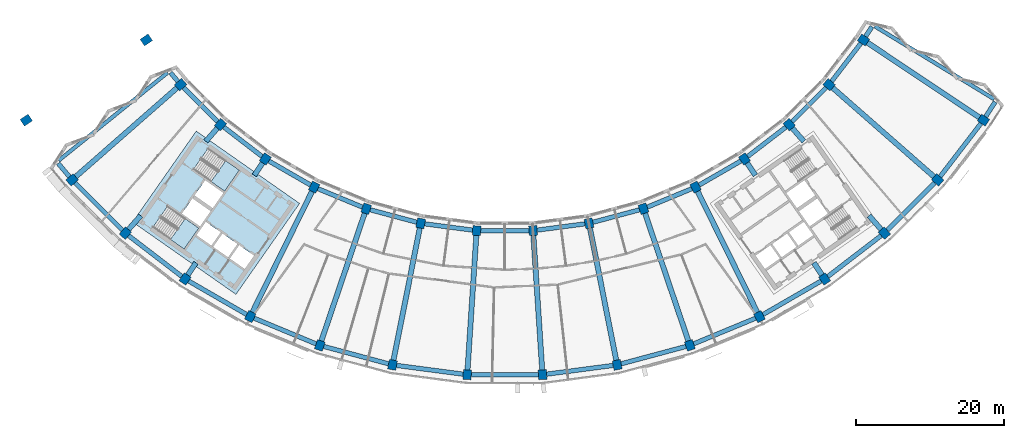
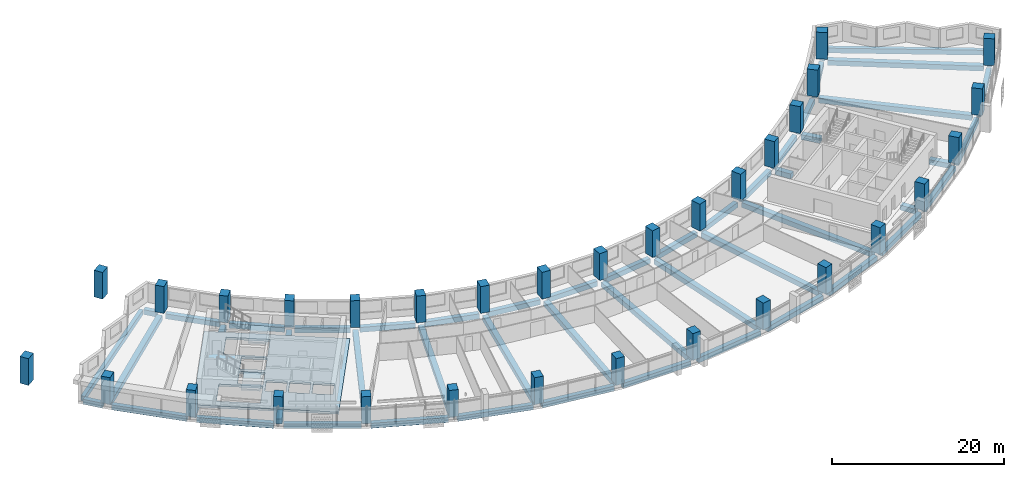
# One storey, part 1 of 26: 53 beams, 32 columns, 3 slabs, 2 elements without a shape of their own.
"""IFC4 building model written with IfcOpenShell, lengths in metres."""

from ifc_helpers import new_model, si_unit, direction, frame, origin, origin_2d, place, context, subcontext, project, spatial, polyline, rectangle, outline, extrude, material, layer, layer_set, material_profile, profile_set, type_object, element, aggregate, save


model = new_model("IFC4")

# Units and contexts
model_context = context("Model", 3, precision=1e-05, world=origin(), true_north=direction((0.0, 1.0)))
body_context = subcontext(model_context, "Body", "Model", "MODEL_VIEW")
ifc_project = project(units=[si_unit("LENGTHUNIT", "METRE"), si_unit("AREAUNIT", "SQUARE_METRE"), si_unit("VOLUMEUNIT", "CUBIC_METRE"), si_unit("PLANEANGLEUNIT", "RADIAN"), si_unit("MASSUNIT", "GRAM", prefix="KILO")], contexts=[model_context])

# Site, building, storey
site_placement = place(None, origin())
site = spatial("IfcSite", under=ifc_project, at=site_placement, CompositionType="ELEMENT")
building_placement = place(site_placement, origin())
building = spatial("IfcBuilding", under=site, at=building_placement, Name="Qamariyya Broadcast Tower", CompositionType="ELEMENT")
storey_placement = place(building_placement, frame((0.0, 0.0, 183.5)))
storey = spatial("IfcBuildingStorey", under=building, at=storey_placement, Name="L43", CompositionType="ELEMENT", Elevation=183.5)

# Columns
ifc_material_1 = material(Name="Concrete C60/75", Category="concrete")
ifc_material_profile_1 = material_profile(ifc_material_1, rectangle(XDim=1.10009765625, YDim=1.300048828125, at=origin_2d()))
ifc_profile_set_1 = profile_set([ifc_material_profile_1], Name="Concrete C60/75")
column_type = type_object("IfcColumnType", Name="RC column 1100 x 1300 C60/75", PredefinedType="COLUMN", material=ifc_profile_set_1)
for number, where, z_axis, x_axis, name in (
    (1, (-43.794677734375, -38.406982421875, 0.0), (0.0, 0.0, 1.0), (0.6593458151, -0.751839807479, 0.0), "Column C8 L43 B-R04"),
    (2, (-58.45556640625, -51.26416015625, 0.0), (0.0, 0.0, 1.0), (0.6593458151, -0.751839807479, 0.0), "Column C8 L43 C-R04"),
    (3, (-38.406982421875, -43.794677734375, 0.0), (0.0, 0.0, 1.0), (0.751839807479, -0.6593458151, 0.0), "Column C8 L43 B-R05"),
    (4, (-51.26416015625, -58.45556640625, 0.0), (0.0, 0.0, 1.0), (0.751839807479, -0.6593458151, 0.0), "Column C8 L43 C-R05"),
    (5, (-32.362060546875, -48.43310546875, 0.0), (0.0, 0.0, 1.0), (0.831469612303, -0.55557023302, 0.0), "Column C8 L43 B-R06"),
    (6, (-43.195556640625, -64.646728515625, 0.0), (0.0, 0.0, 1.0), (0.831469612303, -0.55557023302, 0.0), "Column C8 L43 C-R06"),
    (7, (-25.763427734375, -52.242919921875, 0.0), (0.0, 0.0, 1.0), (0.896872741533, -0.442288690219, 0.0), "Column C8 L43 B-R07"),
    (8, (-34.387939453125, -69.73193359375, 0.0), (0.0, 0.0, 1.0), (0.896872741533, -0.442288690219, 0.0), "Column C8 L43 C-R07"),
    (9, (-18.723876953125, -55.15869140625, 0.0), (0.0, 0.0, 1.0), (0.946930129495, -0.321439465303, 0.0), "Column C8 L43 B-R08"),
    (10, (-24.991943359375, -73.623779296875, 0.0), (0.0, 0.0, 1.0), (0.946930129495, -0.321439465303, 0.0), "Column C8 L43 C-R08"),
    (11, (-11.364013671875, -57.130859375, 0.0), (0.0, 0.0, 1.0), (0.980785280403, -0.195090322016, 0.0), "Column C8 L43 B-R09"),
    (12, (-15.168212890625, -76.256103515625, 0.0), (0.0, 0.0, 1.0), (0.980785280403, -0.195090322016, 0.0), "Column C8 L43 C-R09"),
    (13, (-3.809814453125, -58.125244140625, 0.0), (0.0, 0.0, 1.0), (0.997858923239, -0.06540312923, 0.0), "Column C8 L43 B-R10"),
    (14, (-5.085205078125, -77.58349609375, 0.0), (0.0, 0.0, 1.0), (0.997858923239, -0.06540312923, 0.0), "Column C8 L43 C-R10"),
    (15, (3.809814453125, -58.125244140625, 0.0), (0.0, 0.0, 1.0), (0.997858923239, 0.06540312923, 0.0), "Column C8 L43 B-R11"),
    (16, (5.085205078125, -77.58349609375, 0.0), (0.0, 0.0, 1.0), (0.997858923239, 0.06540312923, 0.0), "Column C8 L43 C-R11"),
    (17, (11.364013671875, -57.130859375, 0.0), (0.0, 0.0, 1.0), (0.980785280403, 0.195090322016, 0.0), "Column C8 L43 B-R12"),
    (18, (15.168212890625, -76.256103515625, 0.0), (0.0, 0.0, 1.0), (0.980785280403, 0.195090322016, 0.0), "Column C8 L43 C-R12"),
    (19, (18.723876953125, -55.15869140625, 0.0), (0.0, 0.0, 1.0), (0.946930129495, 0.321439465303, 0.0), "Column C8 L43 B-R13"),
    (20, (24.991943359375, -73.623779296875, 0.0), (0.0, 0.0, 1.0), (0.946930129495, 0.321439465303, 0.0), "Column C8 L43 C-R13"),
    (21, (25.763427734375, -52.242919921875, 0.0), (0.0, 0.0, 1.0), (0.896872741533, 0.442288690219, 0.0), "Column C8 L43 B-R14"),
    (22, (34.387939453125, -69.73193359375, 0.0), (0.0, 0.0, 1.0), (0.896872741533, 0.442288690219, 0.0), "Column C8 L43 C-R14"),
    (23, (32.362060546875, -48.43310546875, 0.0), (0.0, 0.0, 1.0), (0.831469612303, 0.55557023302, 0.0), "Column C8 L43 B-R15"),
    (24, (43.195556640625, -64.646728515625, 0.0), (0.0, 0.0, 1.0), (0.831469612303, 0.55557023302, 0.0), "Column C8 L43 C-R15"),
    (25, (38.406982421875, -43.794677734375, 0.0), (0.0, 0.0, 1.0), (0.751839807479, 0.6593458151, 0.0), "Column C8 L43 B-R16"),
    (26, (51.26416015625, -58.45556640625, 0.0), (0.0, 0.0, 1.0), (0.751839807479, 0.6593458151, 0.0), "Column C8 L43 C-R16"),
    (27, (43.794677734375, -38.406982421875, 0.0), (0.0, 0.0, 1.0), (0.6593458151, 0.751839807479, 0.0), "Column C8 L43 B-R17"),
    (28, (58.45556640625, -51.26416015625, 0.0), (0.0, 0.0, 1.0), (0.6593458151, 0.751839807479, 0.0), "Column C8 L43 C-R17"),
    (29, (48.43310546875, -32.362060546875, 0.0), (0.0, 0.0, 1.0), (0.55557023302, 0.831469612303, 0.0), "Column C8 L43 B-R18"),
    (30, (64.646728515625, -43.195556640625, 0.0), (0.0, 0.0, 1.0), (0.55557023302, 0.831469612303, 0.0), "Column C8 L43 C-R18"),
    (31, (-48.43310546875, -32.362060546875, 0.0), (0.0, 0.0, 1.0), (0.55557023302, -0.831469612303, 0.0), "Column C8 L43 B-R03"),
    (32, (-64.646728515625, -43.195556640625, 0.0), (0.0, 0.0, 1.0), (0.55557023302, -0.831469612303, 0.0), "Column C8 L43 C-R03"),
):
    element("IfcColumn", number, at=place(storey_placement, frame(where, z_axis=z_axis, x_axis=x_axis)), inside=storey, type_object=column_type, Name=name, PredefinedType="COLUMN", context=body_context, shape_type="SweptSolid", body=[
        extrude(rectangle(XDim=1.10009765625, YDim=1.300048828125, at=origin_2d()), origin(), (0.0, 0.0, 1.0), 3.800048828125),
    ])

# Beams
ifc_material_2 = material(Name="Concrete C40/50", Category="concrete")
ifc_material_profile_2 = material_profile(ifc_material_2, rectangle(XDim=0.60009765625, YDim=0.699951171875, at=origin_2d()))
ifc_profile_set_2 = profile_set([ifc_material_profile_2], Name="Concrete C40/50")
beam_type_1 = type_object("IfcBeamType", Name="RC edge beam 600 x 700 C40/50", PredefinedType="SPANDREL", material=ifc_profile_set_2)
for number, where, z_axis, x_axis, name in (
    (33, (-43.405029296875, -38.796630859375, -0.64990234375), (0.707106781187, -0.707106781187, 0.0), (0.707106781187, 0.707106781187, 0.0), "Edge beam B20 L43 B R04-R05"),
    (34, (-37.9697265625, -44.130126953125, -0.64990234375), (0.793343406719, -0.608774374473, 0.0), (0.608774374473, 0.793343406719, 0.0), "Edge beam B20 L43 B R05-R06"),
):
    element("IfcBeam", number, at=place(storey_placement, frame(where, z_axis=z_axis, x_axis=x_axis)), inside=storey, type_object=beam_type_1, Name=name, PredefinedType="SPANDREL", context=body_context, shape_type="SweptSolid", body=[
        extrude(rectangle(XDim=0.60009765625, YDim=0.699951171875, at=origin_2d()), origin(), (0.0, 0.0, 1.0), 6.517333984375),
    ])
beam_1_placement = place(storey_placement, frame((-31.884521484375, -48.708740234375, -0.64990234375), z_axis=(0.866019015165, -0.500011065251, 0.0), x_axis=(0.500011065251, 0.866019015165, 0.0)))
element("IfcBeam", 35, at=beam_1_placement, inside=storey, type_object=beam_type_1, Name="Edge beam B20 L43 B R06-R07", PredefinedType="SPANDREL", context=body_context, shape_type="SweptSolid", body=[
    extrude(rectangle(XDim=0.60009765625, YDim=0.699951171875, at=origin_2d()), origin(), (0.0, 0.0, 1.0), 6.516845703125),
])
for number, where, z_axis, x_axis, name in (
    (36, (-25.254150390625, -52.453857421875, -0.64990234375), (0.923883967792, -0.382672724475, 0.0), (0.382672724475, 0.923883967792, 0.0), "Edge beam B20 L43 B R07-R08"),
    (37, (-18.19140625, -55.30126953125, -0.64990234375), (0.965923971679, -0.258825966504, 0.0), (0.258825966504, 0.965923971679, 0.0), "Edge beam B20 L43 B R08-R09"),
    (38, (-10.817626953125, -57.20263671875, -0.64990234375), (0.991446388377, -0.130514592953, 0.0), (0.130514592953, 0.991446388377, 0.0), "Edge beam B20 L43 B R09-R10"),
    (39, (-3.258544921875, -58.125244140625, -0.64990234375), (1.0, 0.0, 0.0), (0.0, 1.0, 0.0), "Edge beam B20 L43 B R10-R11"),
    (40, (4.356201171875, -58.05322265625, -0.64990234375), (0.991446388377, 0.130514592953, 0.0), (-0.130514592953, 0.991446388377, 0.0), "Edge beam B20 L43 B R11-R12"),
    (41, (11.896484375, -56.988037109375, -0.64990234375), (0.965923971679, 0.258825966504, 0.0), (-0.258825966504, 0.965923971679, 0.0), "Edge beam B20 L43 B R12-R13"),
    (42, (19.233154296875, -54.94775390625, -0.64990234375), (0.923883967792, 0.382672724475, 0.0), (-0.382672724475, 0.923883967792, 0.0), "Edge beam B20 L43 B R13-R14"),
):
    element("IfcBeam", number, at=place(storey_placement, frame(where, z_axis=z_axis, x_axis=x_axis)), inside=storey, type_object=beam_type_1, Name=name, PredefinedType="SPANDREL", context=body_context, shape_type="SweptSolid", body=[
        extrude(rectangle(XDim=0.60009765625, YDim=0.699951171875, at=origin_2d()), origin(), (0.0, 0.0, 1.0), 6.51708984375),
    ])
beam_2_placement = place(storey_placement, frame((26.24072265625, -51.96728515625, -0.64990234375), z_axis=(0.866019015165, 0.500011065251, 0.0), x_axis=(-0.500011065251, 0.866019015165, 0.0)))
element("IfcBeam", 43, at=beam_2_placement, inside=storey, type_object=beam_type_1, Name="Edge beam B20 L43 B R14-R15", PredefinedType="SPANDREL", context=body_context, shape_type="SweptSolid", body=[
    extrude(rectangle(XDim=0.60009765625, YDim=0.699951171875, at=origin_2d()), origin(), (0.0, 0.0, 1.0), 6.516845703125),
])
for number, where, z_axis, x_axis, name in (
    (44, (32.79931640625, -48.09765625, -0.64990234375), (0.793343406719, 0.608774374473, 0.0), (-0.608774374473, 0.793343406719, 0.0), "Edge beam B20 L43 B R15-R16"),
    (45, (38.796630859375, -43.405029296875, -0.64990234375), (0.707106781187, 0.707106781187, 0.0), (-0.707106781187, 0.707106781187, 0.0), "Edge beam B20 L43 B R16-R17"),
    (46, (44.130126953125, -37.9697265625, -0.64990234375), (0.608774374473, 0.793343406719, 0.0), (-0.793343406719, 0.608774374473, 0.0), "Edge beam B20 L43 B R17-R18"),
):
    element("IfcBeam", number, at=place(storey_placement, frame(where, z_axis=z_axis, x_axis=x_axis)), inside=storey, type_object=beam_type_1, Name=name, PredefinedType="SPANDREL", context=body_context, shape_type="SweptSolid", body=[
        extrude(rectangle(XDim=0.60009765625, YDim=0.699951171875, at=origin_2d()), origin(), (0.0, 0.0, 1.0), 6.517333984375),
    ])
beam_3_placement = place(storey_placement, frame((-58.06591796875, -51.65380859375, -0.64990234375), z_axis=(0.707106781187, -0.707106781187, 0.0), x_axis=(0.707106781187, 0.707106781187, 0.0)))
element("IfcBeam", 47, at=beam_3_placement, inside=storey, type_object=beam_type_1, Name="Edge beam B20 L43 C R04-R05", PredefinedType="SPANDREL", context=body_context, shape_type="SweptSolid", body=[
    extrude(rectangle(XDim=0.60009765625, YDim=0.699951171875, at=origin_2d()), origin(), (0.0, 0.0, 1.0), 9.068115234375),
])
for number, where, z_axis, x_axis, name in (
    (48, (-50.826904296875, -58.791015625, -0.64990234375), (0.793351056372, -0.608764405458, 0.0), (0.608764405458, 0.793351056372, 0.0), "Edge beam B20 L43 C R05-R06"),
    (49, (-42.71826171875, -64.92236328125, -0.64990234375), (0.866025972227, -0.499999015427, 0.0), (0.499999015427, 0.866025972227, 0.0), "Edge beam B20 L43 C R06-R07"),
):
    element("IfcBeam", number, at=place(storey_placement, frame(where, z_axis=z_axis, x_axis=x_axis)), inside=storey, type_object=beam_type_1, Name=name, PredefinedType="SPANDREL", context=body_context, shape_type="SweptSolid", body=[
        extrude(rectangle(XDim=0.60009765625, YDim=0.699951171875, at=origin_2d()), origin(), (0.0, 0.0, 1.0), 9.06787109375),
    ])
beam_4_placement = place(storey_placement, frame((-33.878662109375, -69.94287109375, -0.64990234375), z_axis=(0.923882618409, -0.382675982265, 0.0), x_axis=(0.382675982265, 0.923882618409, 0.0)))
element("IfcBeam", 50, at=beam_4_placement, inside=storey, type_object=beam_type_1, Name="Edge beam B20 L43 C R07-R08", PredefinedType="SPANDREL", context=body_context, shape_type="SweptSolid", body=[
    extrude(rectangle(XDim=0.60009765625, YDim=0.699951171875, at=origin_2d()), origin(), (0.0, 0.0, 1.0), 9.067626953125),
])
for number, where, z_axis, x_axis, name in (
    (51, (-24.45947265625, -73.766357421875, -0.64990234375), (0.965925457615, -0.258820421007, 0.0), (0.258820421007, 0.965925457615, 0.0), "Edge beam B20 L43 C R08-R09"),
    (52, (-14.621826171875, -76.327880859375, -0.64990234375), (0.991444762322, -0.130526944594, 0.0), (0.130526944594, 0.991444762322, 0.0), "Edge beam B20 L43 C R09-R10"),
    (53, (-4.533935546875, -77.58349609375, -0.64990234375), (1.0, 0.0, 0.0), (0.0, 1.0, 0.0), "Edge beam B20 L43 C R10-R11"),
    (54, (5.631591796875, -77.511474609375, -0.64990234375), (0.991444762322, 0.130526944594, 0.0), (-0.130526944594, 0.991444762322, 0.0), "Edge beam B20 L43 C R11-R12"),
    (55, (15.70068359375, -76.11328125, -0.64990234375), (0.965925457615, 0.258820421007, 0.0), (-0.258820421007, 0.965925457615, 0.0), "Edge beam B20 L43 C R12-R13"),
):
    element("IfcBeam", number, at=place(storey_placement, frame(where, z_axis=z_axis, x_axis=x_axis)), inside=storey, type_object=beam_type_1, Name=name, PredefinedType="SPANDREL", context=body_context, shape_type="SweptSolid", body=[
        extrude(rectangle(XDim=0.60009765625, YDim=0.699951171875, at=origin_2d()), origin(), (0.0, 0.0, 1.0), 9.06787109375),
    ])
beam_5_placement = place(storey_placement, frame((25.501220703125, -73.412841796875, -0.64990234375), z_axis=(0.923882618409, 0.382675982265, 0.0), x_axis=(-0.382675982265, 0.923882618409, 0.0)))
element("IfcBeam", 56, at=beam_5_placement, inside=storey, type_object=beam_type_1, Name="Edge beam B20 L43 C R13-R14", PredefinedType="SPANDREL", context=body_context, shape_type="SweptSolid", body=[
    extrude(rectangle(XDim=0.60009765625, YDim=0.699951171875, at=origin_2d()), origin(), (0.0, 0.0, 1.0), 9.067626953125),
])
for number, where, z_axis, x_axis, name in (
    (57, (34.865234375, -69.456298828125, -0.64990234375), (0.866025972227, 0.499999015427, 0.0), (-0.499999015427, 0.866025972227, 0.0), "Edge beam B20 L43 C R14-R15"),
    (58, (43.6328125, -64.311279296875, -0.64990234375), (0.793351056372, 0.608764405458, 0.0), (-0.608764405458, 0.793351056372, 0.0), "Edge beam B20 L43 C R15-R16"),
):
    element("IfcBeam", number, at=place(storey_placement, frame(where, z_axis=z_axis, x_axis=x_axis)), inside=storey, type_object=beam_type_1, Name=name, PredefinedType="SPANDREL", context=body_context, shape_type="SweptSolid", body=[
        extrude(rectangle(XDim=0.60009765625, YDim=0.699951171875, at=origin_2d()), origin(), (0.0, 0.0, 1.0), 9.06787109375),
    ])
beam_6_placement = place(storey_placement, frame((51.65380859375, -58.06591796875, -0.64990234375), z_axis=(0.707106781187, 0.707106781187, 0.0), x_axis=(-0.707106781187, 0.707106781187, 0.0)))
element("IfcBeam", 59, at=beam_6_placement, inside=storey, type_object=beam_type_1, Name="Edge beam B20 L43 C R16-R17", PredefinedType="SPANDREL", context=body_context, shape_type="SweptSolid", body=[
    extrude(rectangle(XDim=0.60009765625, YDim=0.699951171875, at=origin_2d()), origin(), (0.0, 0.0, 1.0), 9.068115234375),
])
beam_7_placement = place(storey_placement, frame((58.791015625, -50.826904296875, -0.64990234375), z_axis=(0.608764405458, 0.793351056372, 0.0), x_axis=(-0.793351056372, 0.608764405458, 0.0)))
element("IfcBeam", 60, at=beam_7_placement, inside=storey, type_object=beam_type_1, Name="Edge beam B20 L43 C R17-R18", PredefinedType="SPANDREL", context=body_context, shape_type="SweptSolid", body=[
    extrude(rectangle(XDim=0.60009765625, YDim=0.699951171875, at=origin_2d()), origin(), (0.0, 0.0, 1.0), 9.06787109375),
])
ifc_material_profile_3 = material_profile(ifc_material_2, rectangle(XDim=0.60009765625, YDim=0.699951171875, at=origin_2d()))
ifc_profile_set_3 = profile_set([ifc_material_profile_3], Name="Concrete C40/50")
beam_type_2 = type_object("IfcBeamType", Name="RC horn beam 600 x 700 C40/50", PredefinedType="BEAM", material=ifc_profile_set_3)
beam_8_placement = place(storey_placement, frame((-44.14892578125, -37.986083984375, -0.64990234375), z_axis=(-0.643863837592, 0.76514009086, 0.0), x_axis=(-0.76514009086, -0.643863837592, 0.0)))
element("IfcBeam", 61, at=beam_8_placement, inside=storey, type_object=beam_type_2, Name="Horn beam B19 L43 W B-R04", PredefinedType="BEAM", context=body_context, shape_type="SweptSolid", body=[
    extrude(rectangle(XDim=0.60009765625, YDim=0.699951171875, at=origin_2d()), origin(), (0.0, 0.0, 1.0), 1.576171875),
])
beam_9_placement = place(storey_placement, frame((-58.809814453125, -50.84326171875, -0.64990234375), z_axis=(-0.643812340342, 0.765183422732, 0.0), x_axis=(-0.765183422732, -0.643812340342, 0.0)))
element("IfcBeam", 62, at=beam_9_placement, inside=storey, type_object=beam_type_2, Name="Horn beam B19 L43 W C-R04", PredefinedType="BEAM", context=body_context, shape_type="SweptSolid", body=[
    extrude(rectangle(XDim=0.60009765625, YDim=0.699951171875, at=origin_2d()), origin(), (0.0, 0.0, 1.0), 2.37158203125),
])
beam_10_placement = place(storey_placement, frame((48.729248046875, -31.8984375, -0.64990234375), z_axis=(0.538548145188, 0.842594739667, 0.0), x_axis=(-0.842594739667, 0.538548145188, 0.0)))
element("IfcBeam", 63, at=beam_10_placement, inside=storey, type_object=beam_type_2, Name="Horn beam B19 L43 E B-R18", PredefinedType="BEAM", context=body_context, shape_type="SweptSolid", body=[
    extrude(rectangle(XDim=0.60009765625, YDim=0.699951171875, at=origin_2d()), origin(), (0.0, 0.0, 1.0), 1.576171875),
])
beam_11_placement = place(storey_placement, frame((64.943115234375, -42.73193359375, -0.64990234375), z_axis=(0.538513145541, 0.842617108822, 0.0), x_axis=(-0.842617108822, 0.538513145541, 0.0)))
element("IfcBeam", 64, at=beam_11_placement, inside=storey, type_object=beam_type_2, Name="Horn beam B19 L43 E C-R18", PredefinedType="BEAM", context=body_context, shape_type="SweptSolid", body=[
    extrude(rectangle(XDim=0.60009765625, YDim=0.699951171875, at=origin_2d()), origin(), (0.0, 0.0, 1.0), 2.37158203125),
])
ifc_material_profile_4 = material_profile(ifc_material_2, rectangle(XDim=0.5, YDim=0.699951171875, at=origin_2d()))
ifc_profile_set_4 = profile_set([ifc_material_profile_4], Name="Concrete C40/50")
beam_type_3 = type_object("IfcBeamType", Name="RC horn cap beam 500 x 700 C40/50", PredefinedType="BEAM", material=ifc_profile_set_4)
beam_12_placement = place(storey_placement, frame((-45.55810546875, -36.777099609375, -0.64990234375), z_axis=(-0.778105078585, -0.628134131122, 0.0), x_axis=(0.628134131122, -0.778105078585, 0.0)))
element("IfcBeam", 65, at=beam_12_placement, inside=storey, type_object=beam_type_3, Name="Horn cap beam B21 L43 W B-C", PredefinedType="BEAM", context=body_context, shape_type="SweptSolid", body=[
    extrude(rectangle(XDim=0.5, YDim=0.699951171875, at=origin_2d()), origin(), (0.0, 0.0, 1.0), 18.900146484375),
])
beam_13_placement = place(storey_placement, frame((49.96875, -30.51611328125, -0.64990234375), z_axis=(0.853436342261, -0.521197092958, 0.0), x_axis=(0.521197092958, 0.853436342261, 0.0)))
element("IfcBeam", 66, at=beam_13_placement, inside=storey, type_object=beam_type_3, Name="Horn cap beam B21 L43 E B-C", PredefinedType="BEAM", context=body_context, shape_type="SweptSolid", body=[
    extrude(rectangle(XDim=0.5, YDim=0.699951171875, at=origin_2d()), origin(), (0.0, 0.0, 1.0), 18.89990234375),
])
ifc_material_profile_5 = material_profile(ifc_material_2, rectangle(XDim=0.699951171875, YDim=0.699951171875, at=origin_2d()))
ifc_profile_set_5 = profile_set([ifc_material_profile_5], Name="Concrete C40/50")
beam_type_4 = type_object("IfcBeamType", Name="RC radial beam 700 x 700 C40/50", PredefinedType="BEAM", material=ifc_profile_set_5)
beam_14_placement = place(storey_placement, frame((-44.283447265625, -38.83544921875, -0.64990234375), z_axis=(-0.751839141307, -0.659346574723, 0.0), x_axis=(0.659346574723, -0.751839141307, 0.0)))
element("IfcBeam", 67, at=beam_14_placement, inside=storey, type_object=beam_type_4, Name="Radial beam B18 L43 R04 B-C", PredefinedType="BEAM", context=body_context, shape_type="SweptSolid", body=[
    extrude(rectangle(XDim=0.699951171875, YDim=0.699951171875, at=origin_2d()), origin(), (0.0, 0.0, 1.0), 18.199951171875),
])
beam_15_placement = place(storey_placement, frame((-38.83544921875, -44.283447265625, -0.64990234375), z_axis=(-0.659381501846, -0.751808509544, 0.0), x_axis=(0.751808509544, -0.659381501846, 0.0)))
element("IfcBeam", 68, at=beam_15_placement, inside=storey, type_object=beam_type_4, Name="Radial beam B18 L43 R05 B-C", PredefinedType="BEAM", context=body_context, shape_type="SweptSolid", body=[
    extrude(rectangle(XDim=0.699951171875, YDim=0.699951171875, at=origin_2d()), origin(), (0.0, 0.0, 1.0), 2.364013671875),
])
beam_16_placement = place(storey_placement, frame((-49.1943359375, -56.095458984375, -0.64990234375), z_axis=(-0.659344451764, -0.75184100309, 0.0), x_axis=(0.75184100309, -0.659344451764, 0.0)))
element("IfcBeam", 69, at=beam_16_placement, inside=storey, type_object=beam_type_4, Name="Radial beam B18 L43 R05 B-C", PredefinedType="BEAM", context=body_context, shape_type="SweptSolid", body=[
    extrude(rectangle(XDim=0.699951171875, YDim=0.699951171875, at=origin_2d()), origin(), (0.0, 0.0, 1.0), 2.489013671875),
])
beam_17_placement = place(storey_placement, frame((-32.72314453125, -48.9736328125, -0.64990234375), z_axis=(-0.555594913414, -0.83145312086, 0.0), x_axis=(0.83145312086, -0.555594913414, 0.0)))
element("IfcBeam", 70, at=beam_17_placement, inside=storey, type_object=beam_type_4, Name="Radial beam B18 L43 R06 B-C", PredefinedType="BEAM", context=body_context, shape_type="SweptSolid", body=[
    extrude(rectangle(XDim=0.699951171875, YDim=0.699951171875, at=origin_2d()), origin(), (0.0, 0.0, 1.0), 2.014404296875),
])
beam_18_placement = place(storey_placement, frame((-41.733154296875, -62.458251953125, -0.64990234375), z_axis=(-0.555637861027, -0.831424420734, 0.0), x_axis=(0.831424420734, -0.555637861027, 0.0)))
element("IfcBeam", 71, at=beam_18_placement, inside=storey, type_object=beam_type_4, Name="Radial beam B18 L43 R06 B-C", PredefinedType="BEAM", context=body_context, shape_type="SweptSolid", body=[
    extrude(rectangle(XDim=0.699951171875, YDim=0.699951171875, at=origin_2d()), origin(), (0.0, 0.0, 1.0), 1.982177734375),
])
beam_19_placement = place(storey_placement, frame((-26.05078125, -52.82568359375, -0.64990234375), z_axis=(-0.44228110273, -0.896876483228, 0.0), x_axis=(0.896876483228, -0.44228110273, 0.0)))
element("IfcBeam", 72, at=beam_19_placement, inside=storey, type_object=beam_type_4, Name="Radial beam B18 L43 R07 B-C", PredefinedType="BEAM", context=body_context, shape_type="SweptSolid", body=[
    extrude(rectangle(XDim=0.699951171875, YDim=0.699951171875, at=origin_2d()), origin(), (0.0, 0.0, 1.0), 18.2001953125),
])
beam_20_placement = place(storey_placement, frame((-18.932861328125, -55.774169921875, -0.64990234375), z_axis=(-0.321434466477, -0.946931826353, 0.0), x_axis=(0.946931826353, -0.321434466477, 0.0)))
element("IfcBeam", 73, at=beam_20_placement, inside=storey, type_object=beam_type_4, Name="Radial beam B18 L43 R08 B-C", PredefinedType="BEAM", context=body_context, shape_type="SweptSolid", body=[
    extrude(rectangle(XDim=0.699951171875, YDim=0.699951171875, at=origin_2d()), origin(), (0.0, 0.0, 1.0), 18.199951171875),
])
beam_21_placement = place(storey_placement, frame((-11.49072265625, -57.768310546875, -0.64990234375), z_axis=(-0.195097061093, -0.980783939893, 0.0), x_axis=(0.980783939893, -0.195097061093, 0.0)))
element("IfcBeam", 74, at=beam_21_placement, inside=storey, type_object=beam_type_4, Name="Radial beam B18 L43 R09 B-C", PredefinedType="BEAM", context=body_context, shape_type="SweptSolid", body=[
    extrude(rectangle(XDim=0.699951171875, YDim=0.699951171875, at=origin_2d()), origin(), (0.0, 0.0, 1.0), 18.2001953125),
])
for number, where, z_axis, x_axis, name in (
    (75, (-3.852294921875, -58.77392578125, -0.64990234375), (-0.065395361188, -0.997859432353, 0.0), (0.997859432353, -0.065395361188, 0.0), "Radial beam B18 L43 R10 B-C"),
    (76, (3.852294921875, -58.77392578125, -0.64990234375), (0.065395361188, -0.997859432353, 0.0), (0.997859432353, 0.065395361188, 0.0), "Radial beam B18 L43 R11 B-C"),
):
    element("IfcBeam", number, at=place(storey_placement, frame(where, z_axis=z_axis, x_axis=x_axis)), inside=storey, type_object=beam_type_4, Name=name, PredefinedType="BEAM", context=body_context, shape_type="SweptSolid", body=[
        extrude(rectangle(XDim=0.699951171875, YDim=0.699951171875, at=origin_2d()), origin(), (0.0, 0.0, 1.0), 18.199951171875),
    ])
beam_22_placement = place(storey_placement, frame((11.49072265625, -57.768310546875, -0.64990234375), z_axis=(0.195097061093, -0.980783939893, 0.0), x_axis=(0.980783939893, 0.195097061093, 0.0)))
element("IfcBeam", 77, at=beam_22_placement, inside=storey, type_object=beam_type_4, Name="Radial beam B18 L43 R12 B-C", PredefinedType="BEAM", context=body_context, shape_type="SweptSolid", body=[
    extrude(rectangle(XDim=0.699951171875, YDim=0.699951171875, at=origin_2d()), origin(), (0.0, 0.0, 1.0), 18.2001953125),
])
beam_23_placement = place(storey_placement, frame((18.932861328125, -55.774169921875, -0.64990234375), z_axis=(0.321434466477, -0.946931826353, 0.0), x_axis=(0.946931826353, 0.321434466477, 0.0)))
element("IfcBeam", 78, at=beam_23_placement, inside=storey, type_object=beam_type_4, Name="Radial beam B18 L43 R13 B-C", PredefinedType="BEAM", context=body_context, shape_type="SweptSolid", body=[
    extrude(rectangle(XDim=0.699951171875, YDim=0.699951171875, at=origin_2d()), origin(), (0.0, 0.0, 1.0), 18.199951171875),
])
beam_24_placement = place(storey_placement, frame((26.05078125, -52.82568359375, -0.64990234375), z_axis=(0.44228110273, -0.896876483228, 0.0), x_axis=(0.896876483228, 0.44228110273, 0.0)))
element("IfcBeam", 79, at=beam_24_placement, inside=storey, type_object=beam_type_4, Name="Radial beam B18 L43 R14 B-C", PredefinedType="BEAM", context=body_context, shape_type="SweptSolid", body=[
    extrude(rectangle(XDim=0.699951171875, YDim=0.699951171875, at=origin_2d()), origin(), (0.0, 0.0, 1.0), 18.2001953125),
])
beam_25_placement = place(storey_placement, frame((32.72314453125, -48.9736328125, -0.64990234375), z_axis=(0.555594913414, -0.83145312086, 0.0), x_axis=(0.83145312086, 0.555594913414, 0.0)))
element("IfcBeam", 80, at=beam_25_placement, inside=storey, type_object=beam_type_4, Name="Radial beam B18 L43 R15 B-C", PredefinedType="BEAM", context=body_context, shape_type="SweptSolid", body=[
    extrude(rectangle(XDim=0.699951171875, YDim=0.699951171875, at=origin_2d()), origin(), (0.0, 0.0, 1.0), 2.014404296875),
])
beam_26_placement = place(storey_placement, frame((41.733154296875, -62.458251953125, -0.64990234375), z_axis=(0.555637861027, -0.831424420734, 0.0), x_axis=(0.831424420734, 0.555637861027, 0.0)))
element("IfcBeam", 81, at=beam_26_placement, inside=storey, type_object=beam_type_4, Name="Radial beam B18 L43 R15 B-C", PredefinedType="BEAM", context=body_context, shape_type="SweptSolid", body=[
    extrude(rectangle(XDim=0.699951171875, YDim=0.699951171875, at=origin_2d()), origin(), (0.0, 0.0, 1.0), 1.982177734375),
])
beam_27_placement = place(storey_placement, frame((38.83544921875, -44.283447265625, -0.64990234375), z_axis=(0.659381501846, -0.751808509544, 0.0), x_axis=(0.751808509544, 0.659381501846, 0.0)))
element("IfcBeam", 82, at=beam_27_placement, inside=storey, type_object=beam_type_4, Name="Radial beam B18 L43 R16 B-C", PredefinedType="BEAM", context=body_context, shape_type="SweptSolid", body=[
    extrude(rectangle(XDim=0.699951171875, YDim=0.699951171875, at=origin_2d()), origin(), (0.0, 0.0, 1.0), 2.364013671875),
])
beam_28_placement = place(storey_placement, frame((49.1943359375, -56.095458984375, -0.64990234375), z_axis=(0.659344451764, -0.75184100309, 0.0), x_axis=(0.75184100309, 0.659344451764, 0.0)))
element("IfcBeam", 83, at=beam_28_placement, inside=storey, type_object=beam_type_4, Name="Radial beam B18 L43 R16 B-C", PredefinedType="BEAM", context=body_context, shape_type="SweptSolid", body=[
    extrude(rectangle(XDim=0.699951171875, YDim=0.699951171875, at=origin_2d()), origin(), (0.0, 0.0, 1.0), 2.489013671875),
])
beam_29_placement = place(storey_placement, frame((44.283447265625, -38.83544921875, -0.64990234375), z_axis=(0.751839141307, -0.659346574723, 0.0), x_axis=(0.659346574723, 0.751839141307, 0.0)))
element("IfcBeam", 84, at=beam_29_placement, inside=storey, type_object=beam_type_4, Name="Radial beam B18 L43 R17 B-C", PredefinedType="BEAM", context=body_context, shape_type="SweptSolid", body=[
    extrude(rectangle(XDim=0.699951171875, YDim=0.699951171875, at=origin_2d()), origin(), (0.0, 0.0, 1.0), 18.199951171875),
])
beam_30_placement = place(storey_placement, frame((48.9736328125, -32.72314453125, -0.64990234375), z_axis=(0.831467855631, -0.555572862056, 0.0), x_axis=(0.555572862056, 0.831467855631, 0.0)))
element("IfcBeam", 85, at=beam_30_placement, inside=storey, type_object=beam_type_4, Name="Radial beam B18 L43 R18 B-C", PredefinedType="BEAM", context=body_context, shape_type="SweptSolid", body=[
    extrude(rectangle(XDim=0.699951171875, YDim=0.699951171875, at=origin_2d()), origin(), (0.0, 0.0, 1.0), 18.19970703125),
])

# Slab
ifc_layer_1 = layer(ifc_material_2, 0.300048828125)
ifc_layer_set_1 = layer_set([ifc_layer_1], Name="Core floor slab 300 mm Concrete C40/50")
slab_type_1 = type_object("IfcSlabType", Name="Core floor slab 300 mm Concrete C40/50", PredefinedType="FLOOR", material=ifc_layer_set_1)
slab_1_placement = place(storey_placement, frame((0.0, 0.0, -0.300048828125)))
element("IfcSlab", 86, at=slab_1_placement, inside=storey, type_object=slab_type_1, Name="k-W-L43-slab", PredefinedType="FLOOR", context=body_context, shape_type="SweptSolid", body=[
    extrude(outline(polyline([(-50.286376953125, -56.95751953125), (-36.32373046875, -66.734375), (-27.719970703125, -54.447021484375), (-41.6826171875, -44.67041015625), (-50.286376953125, -56.95751953125)]), holes=[polyline([(-33.87353515625, -61.49169921875), (-35.88037109375, -60.08642578125), (-37.142333984375, -61.888427734375), (-35.13525390625, -63.293701171875), (-33.87353515625, -61.49169921875)]), polyline([(-36.126220703125, -59.914306640625), (-38.133056640625, -58.509033203125), (-39.394775390625, -60.311279296875), (-37.387939453125, -61.716552734375), (-36.126220703125, -59.914306640625)]), polyline([(-38.378662109375, -58.3369140625), (-40.3857421875, -56.931640625), (-41.6474609375, -58.73388671875), (-39.640625, -60.13916015625), (-38.378662109375, -58.3369140625)]), polyline([(-39.742431640625, -55.489990234375), (-42.199951171875, -53.769287109375), (-43.6337890625, -55.817138671875), (-41.17626953125, -57.537841796875), (-39.742431640625, -55.489990234375)]), polyline([(-39.45556640625, -55.080322265625), (-41.9130859375, -53.359619140625), (-40.47900390625, -51.311767578125), (-38.021728515625, -53.032470703125), (-39.45556640625, -55.080322265625)]), polyline([(-42.06103515625, -49.837890625), (-37.849609375, -52.78662109375), (-35.870849609375, -49.960693359375), (-40.082275390625, -47.01171875), (-42.06103515625, -49.837890625)]), polyline([(-47.538818359375, -57.66064453125), (-43.3271484375, -60.609619140625), (-41.348388671875, -57.783447265625), (-45.559814453125, -54.834716796875), (-47.538818359375, -57.66064453125)])]), origin(), (0.0, 0.0, 1.0), 0.300048828125),
])

# Stair, slab
ifc_material_3 = material(Name="Concrete C50/60", Category="concrete")
stair_type = type_object("IfcStairType", Name="Exit stair 22 risers of 173 mm", PredefinedType="HALF_TURN_STAIR", material=ifc_material_3)
stair_1_placement = place(storey_placement, origin())
stair_1 = element("IfcStair", 87, at=stair_1_placement, inside=storey, type_object=stair_type, Name="L43 Stair W2", PredefinedType="HALF_TURN_STAIR")
ifc_layer_2 = layer(ifc_material_3, 0.199951171875)
ifc_layer_set_2 = layer_set([ifc_layer_2], Name="Stair landing")
slab_type_2 = type_object("IfcSlabType", Name="Stair landing", PredefinedType="LANDING", material=ifc_layer_set_2)
slab_2_placement = place(storey_placement, frame((0.0, 0.0, 1.699951171875)))
slab_2 = element("IfcSlab", 88, at=slab_2_placement, type_object=slab_type_2, Name="ST-W2 landing 1", PredefinedType="LANDING", context=body_context, shape_type="SweptSolid", body=[
    extrude(outline(polyline([(-39.692138671875, -51.49658203125), (-37.849609375, -52.78662109375), (-35.870849609375, -49.960693359375), (-37.71337890625, -48.67041015625), (-39.692138671875, -51.49658203125)])), origin(), (0.0, 0.0, 1.0), 0.199951171875),
])
aggregate(stair_1, [slab_2])

stair_2_placement = place(storey_placement, origin())
stair_2 = element("IfcStair", 89, at=stair_2_placement, inside=storey, type_object=stair_type, Name="L43 Stair W1", PredefinedType="HALF_TURN_STAIR")
slab_3_placement = place(storey_placement, frame((0.0, 0.0, 1.699951171875)))
slab_3 = element("IfcSlab", 90, at=slab_3_placement, type_object=slab_type_2, Name="ST-W1 landing 1", PredefinedType="LANDING", context=body_context, shape_type="SweptSolid", body=[
    extrude(outline(polyline([(-45.169677734375, -59.319580078125), (-43.3271484375, -60.609619140625), (-41.348388671875, -57.783447265625), (-43.19091796875, -56.493408203125), (-45.169677734375, -59.319580078125)])), origin(), (0.0, 0.0, 1.0), 0.199951171875),
])
aggregate(stair_2, [slab_3])

save(model, "model.ifc")
